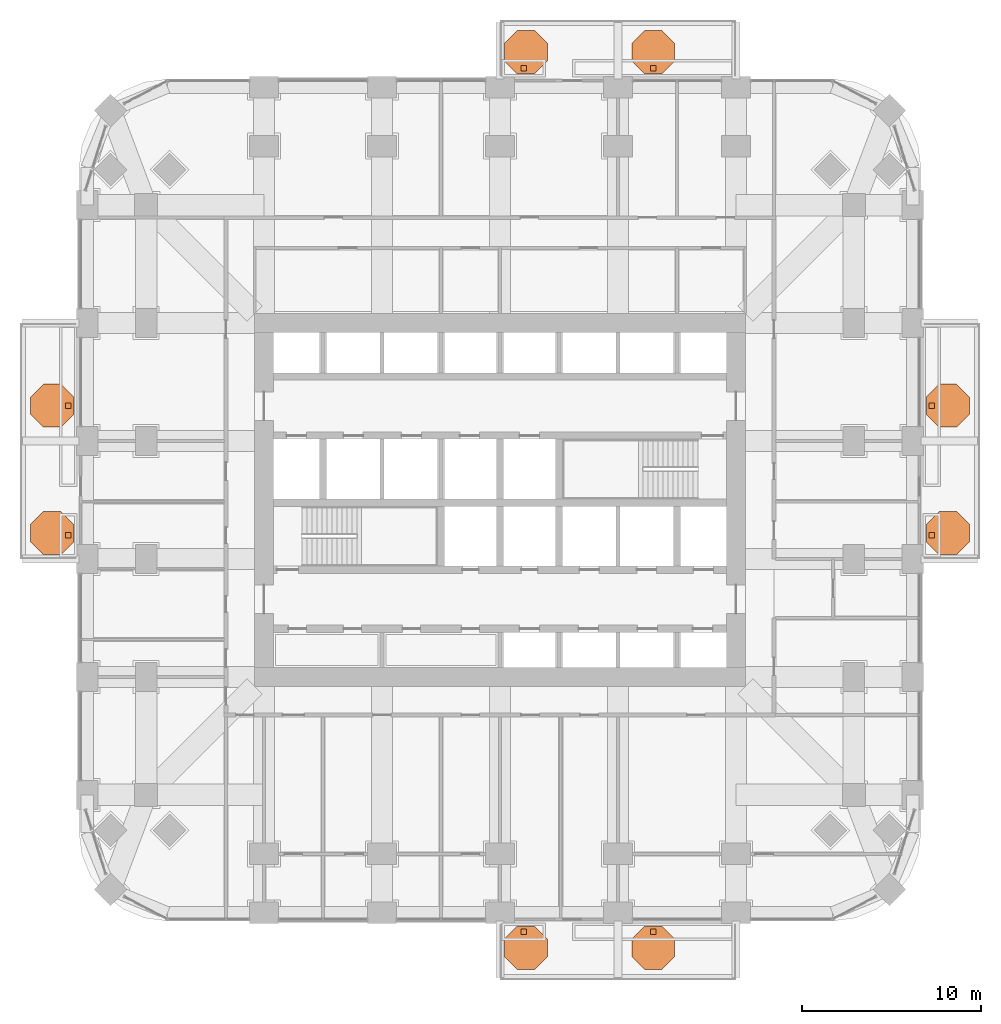
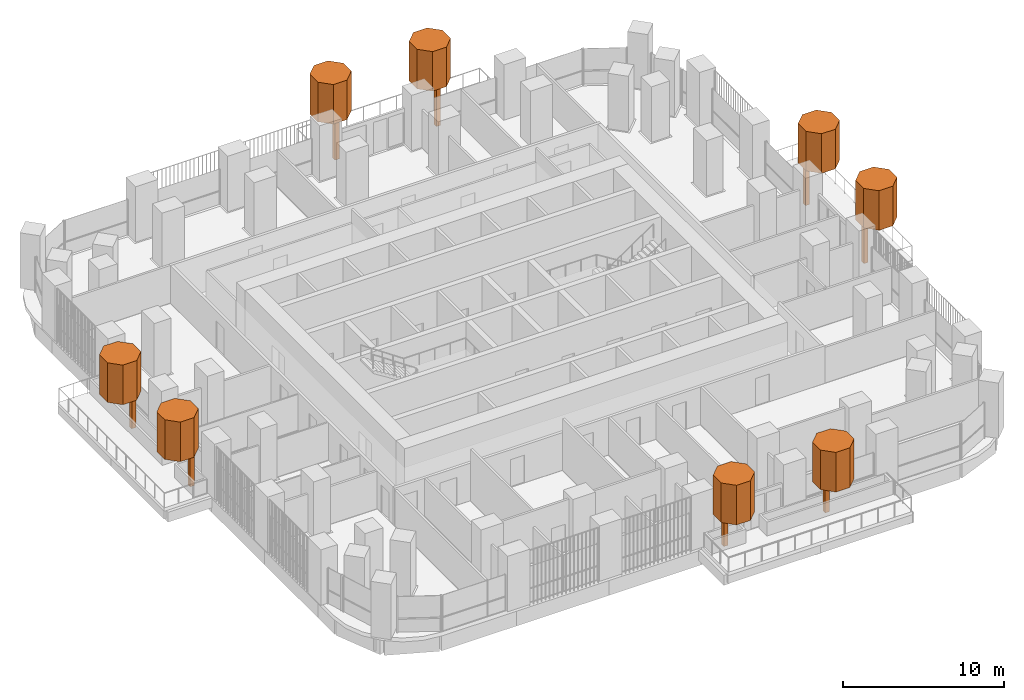
# One storey, part 22 of 22: 16 geographic elements.
"""IFC4 building model written with IfcOpenShell, lengths in metres."""

import ifcopenshell
import ifcopenshell.guid

model = None  # the IFC model being written
_history = None  # IfcOwnerHistory: only IFC2X3 demands one
_inside = {}  # id of a spatial element -> (the spatial element, [elements in it])
_under = {}  # id of a project, library or spatial element -> (it, [spatial elements below it])
_declared = {}  # id of a project -> (the project, [libraries it declares])
_typed = {}  # id of a type object -> (the type object, [elements of that type])
_made_of = {}  # id of a material, layer set ... -> (it, [elements and type objects made of it])


def new_model(schema):
    """Start an empty IFC model of exactly this schema.

    Asked for "IFC4X3", IfcOpenShell would pick the latest addendum, in which some entities
    have other attributes; the version numbers below select the first issue.
    IFC2X3 requires an IfcOwnerHistory on every rooted entity: one is made here for all.
    """
    global model, _history
    if schema == "IFC4X3":
        model = ifcopenshell.file(schema_version=(4, 3, 0, 0))
    else:
        model = ifcopenshell.file(schema=schema)
    _inside.clear()
    _under.clear()
    _declared.clear()
    _typed.clear()
    _made_of.clear()
    _history = None
    if model.schema == "IFC2X3":
        org = make("IfcOrganization", Name="unknown")
        user = make(
            "IfcPersonAndOrganization",
            ThePerson=make("IfcPerson", FamilyName="unknown"),
            TheOrganization=org,
        )
        app = make(
            "IfcApplication",
            ApplicationDeveloper=org,
            Version="unknown",
            ApplicationFullName="unknown",
            ApplicationIdentifier="unknown",
        )
        _history = make(
            "IfcOwnerHistory",
            OwningUser=user,
            OwningApplication=app,
            ChangeAction="ADDED",
            CreationDate=0,
        )
    return model


def make(cls, **values):
    """One entity of the class cls with the attributes given. An attribute that is None is left unset."""
    return model.create_entity(
        cls, **{name: value for name, value in values.items() if value is not None}
    )


def rooted(cls, **values):
    """An entity with a GlobalId (a new one), such as an element, a storey or a relation."""
    return make(cls, GlobalId=ifcopenshell.guid.new(), OwnerHistory=_history, **values)


def si_unit(unit_type, name, prefix=None):
    """IfcSIUnit, for example si_unit("LENGTHUNIT", "METRE", prefix="MILLI")."""
    return make("IfcSIUnit", UnitType=unit_type, Prefix=prefix, Name=name)


def assignment(units):
    """IfcUnitAssignment: the units of a project."""
    return None if units is None else make("IfcUnitAssignment", Units=units)


def point(xyz):
    """IfcCartesianPoint."""
    return None if xyz is None else make("IfcCartesianPoint", Coordinates=xyz)


def direction(xyz):
    """IfcDirection."""
    return None if xyz is None else make("IfcDirection", DirectionRatios=xyz)


def frame(location, z_axis=None, x_axis=None):
    """IfcAxis2Placement3D, a coordinate frame: its origin and axes. An axis left out is left unset."""
    return make(
        "IfcAxis2Placement3D",
        Location=point(location),
        Axis=direction(z_axis),
        RefDirection=direction(x_axis),
    )


def frame_2d(location, x_axis=None):
    """IfcAxis2Placement2D, a coordinate frame in the plane: its origin and x axis."""
    return make(
        "IfcAxis2Placement2D", Location=point(location), RefDirection=direction(x_axis)
    )


def origin():
    """The frame at (0, 0, 0) with its axes left unset."""
    return frame((0.0, 0.0, 0.0))


def origin_2d():
    """The frame at (0, 0) in the plane with its x axis left unset."""
    return frame_2d((0.0, 0.0))


def place(relative_to, where):
    """IfcLocalPlacement: puts the frame where relative to a parent placement (None: the world)."""
    return make(
        "IfcLocalPlacement", PlacementRelTo=relative_to, RelativePlacement=where
    )


def context(
    kind, dimensions, precision=None, world=None, true_north=None, identifier=None
):
    """IfcGeometricRepresentationContext, for example the 3D "Model" context."""
    return make(
        "IfcGeometricRepresentationContext",
        ContextIdentifier=identifier,
        ContextType=kind,
        CoordinateSpaceDimension=dimensions,
        Precision=precision,
        WorldCoordinateSystem=world,
        TrueNorth=true_north,
    )


def subcontext(parent, identifier, kind, view, scale=None):
    """IfcGeometricRepresentationSubContext, for example "Body" below "Model"."""
    return make(
        "IfcGeometricRepresentationSubContext",
        ContextIdentifier=identifier,
        ContextType=kind,
        ParentContext=parent,
        TargetScale=scale,
        TargetView=view,
    )


def project(units=None, contexts=None):
    """IfcProject with its units and contexts."""
    return rooted(
        "IfcProject",
        Name="project",
        RepresentationContexts=contexts,
        UnitsInContext=assignment(units),
    )


def spatial(cls, under=None, at=None, **own):
    """A site, building, storey or space (cls), placed at a placement, below another one or the project."""
    s = rooted(cls, ObjectPlacement=at, **own)
    if under is not None:
        _under.setdefault(under.id(), (under, []))[1].append(s)
    return s


def polyline(points):
    """IfcPolyline through the points."""
    return make("IfcPolyline", Points=[point(p) for p in points])


def profile(cls, at=None, kind="AREA", **sizes):
    """A parametric profile (cls). Its sizes go by their IFC names, for example OverallWidth=200.0."""
    return make(cls, ProfileType=kind, Position=at, **sizes)


def rectangle(**sizes):
    """IfcRectangleProfileDef."""
    return profile("IfcRectangleProfileDef", **sizes)


def outline(outer, holes=None, kind="AREA"):
    """IfcArbitraryClosedProfileDef: a profile drawn as a closed curve; with holes, ...WithVoids."""
    if holes is None:
        return make("IfcArbitraryClosedProfileDef", ProfileType=kind, OuterCurve=outer)
    return make(
        "IfcArbitraryProfileDefWithVoids",
        ProfileType=kind,
        OuterCurve=outer,
        InnerCurves=holes,
    )


def extrude(swept, where, along, depth):
    """IfcExtrudedAreaSolid: the profile swept, set in the frame where, extruded along a direction by depth."""
    return make(
        "IfcExtrudedAreaSolid",
        SweptArea=swept,
        Position=where,
        ExtrudedDirection=direction(along),
        Depth=depth,
    )


def shape(context_of_items, identifier, shape_type, items):
    """IfcShapeRepresentation: the items that make up one representation, for example the "Body"."""
    return make(
        "IfcShapeRepresentation",
        ContextOfItems=context_of_items,
        RepresentationIdentifier=identifier,
        RepresentationType=shape_type,
        Items=items,
    )


def material(Name=None, Category=None):
    """IfcMaterial."""
    return make("IfcMaterial", Name=Name, Category=Category)


def made_of(thing, what):
    """Note that an element or type object is made of a material, layer set ...; save() writes the relation."""
    if what is not None:
        _made_of.setdefault(what.id(), (what, []))[1].append(thing)
    return thing


def type_object(cls, material=None, **own):
    """A type object (cls), such as IfcWallType, which elements share."""
    return made_of(rooted(cls, **own), material)


def element(
    cls,
    number,
    at=None,
    inside=None,
    cuts=None,
    type_object=None,
    material=None,
    context=None,
    identifier="Body",
    shape_type=None,
    held_by="IfcProductDefinitionShape",
    body=None,
    shapes=None,
    **own,
):
    """One element of the class cls, such as IfcWall. Its Tag is "e" and its number.

    at: its placement. inside: the storey or other place that contains it. cuts: it is an
    opening in that element (IfcRelVoidsElement). A single representation is given by context,
    identifier, shape_type and body (its items); several are given by shapes. held_by: the class
    of the entity that holds the representations. save() writes the other relations.
    """
    e = rooted(cls, Tag="e%d" % number, ObjectPlacement=at, **own)
    if body is not None:
        shapes = [shape(context, identifier, shape_type, body)]
    if shapes is not None:
        e.Representation = make(held_by, Representations=shapes)
    if inside is not None:
        _inside.setdefault(inside.id(), (inside, []))[1].append(e)
    if cuts is not None:
        rooted(
            "IfcRelVoidsElement", RelatingBuildingElement=cuts, RelatedOpeningElement=e
        )
    if type_object is not None:
        _typed.setdefault(type_object.id(), (type_object, []))[1].append(e)
    return made_of(e, material)


def aggregate(whole, parts):
    """IfcRelAggregates: a whole, such as a stair, and the parts it consists of."""
    return rooted("IfcRelAggregates", RelatingObject=whole, RelatedObjects=parts)


def save(model, path):
    """Write the relations noted so far, then the file.

    IfcRelAggregates (storeys below a building ...), IfcRelContainedInSpatialStructure (elements
    in a storey), IfcRelDefinesByType, IfcRelAssociatesMaterial and IfcRelDeclares: one each for
    every whole, place, type object, material and project.
    """
    for whole, parts in _under.values():
        aggregate(whole, parts)
    for where, things in _inside.values():
        rooted(
            "IfcRelContainedInSpatialStructure",
            RelatedElements=things,
            RelatingStructure=where,
        )
    for kind, things in _typed.values():
        rooted("IfcRelDefinesByType", RelatedObjects=things, RelatingType=kind)
    for what, things in _made_of.values():
        rooted("IfcRelAssociatesMaterial", RelatedObjects=things, RelatingMaterial=what)
    for by, libraries in _declared.values():
        rooted("IfcRelDeclares", RelatingContext=by, RelatedDefinitions=libraries)
    model.write(path)


model = new_model("IFC4")

# Units and contexts
model_context = context("Model", 3, precision=1e-05, world=origin(), true_north=direction((0.0, 1.0)))
body_context = subcontext(model_context, "Body", "Model", "MODEL_VIEW")
ifc_project = project(units=[si_unit("LENGTHUNIT", "METRE"), si_unit("AREAUNIT", "SQUARE_METRE"), si_unit("VOLUMEUNIT", "CUBIC_METRE"), si_unit("PLANEANGLEUNIT", "RADIAN"), si_unit("MASSUNIT", "GRAM", prefix="KILO")], contexts=[model_context])

# Site, building, storey
site_placement = place(None, origin())
site = spatial("IfcSite", under=ifc_project, at=site_placement, CompositionType="ELEMENT")
building_placement = place(site_placement, origin())
building = spatial("IfcBuilding", under=site, at=building_placement, Name="Cobogo Forest Laboratory Tower", CompositionType="ELEMENT")
storey_placement = place(building_placement, frame((0.0, 0.0, 94.800048828125)))
storey = spatial("IfcBuildingStorey", under=building, at=storey_placement, Name="L21", CompositionType="ELEMENT", Elevation=94.800048828125)

# Geographic elements
ifc_material = material(Name="Planting", Category="plant")
geographic_element_type_1 = type_object("IfcGeographicElementType", Name="Tree trunk 300", PredefinedType="USERDEFINED", material=ifc_material)
for number, where, z_axis, x_axis, name in (
    (1, (27.72509765625, -1.050048828125, 0.0), (0.0, 0.0, 1.0), (1.0, 0.0, 0.0), "Tree trunk BAL-S1-PL1 L21"),
    (2, (34.97509765625, -1.050048828125, 0.0), (0.0, 0.0, 1.0), (1.0, 0.0, 0.0), "Tree trunk BAL-S1-PL2 L21"),
    (3, (50.550048828125, 21.125, 0.0), (0.0, 0.0, 1.0), (1.0, 0.0, 0.0), "Tree trunk BAL-E1-PL1 L21"),
    (4, (50.550048828125, 28.375, 0.0), (0.0, 0.0, 1.0), (1.0, 0.0, 0.0), "Tree trunk BAL-E1-PL2 L21"),
    (5, (27.72509765625, 47.25, 0.0), (0.0, 0.0, 1.0), (1.0, 0.0, 0.0), "Tree trunk BAL-N1-PL1 L21"),
    (6, (34.97509765625, 47.25, 0.0), (0.0, 0.0, 1.0), (1.0, 0.0, 0.0), "Tree trunk BAL-N1-PL2 L21"),
    (7, (2.25, 21.125, 0.0), (0.0, 0.0, 1.0), (1.0, 0.0, 0.0), "Tree trunk BAL-W1-PL1 L21"),
    (8, (2.25, 28.375, 0.0), (0.0, 0.0, 1.0), (1.0, 0.0, 0.0), "Tree trunk BAL-W1-PL2 L21"),
):
    element("IfcGeographicElement", number, at=place(storey_placement, frame(where, z_axis=z_axis, x_axis=x_axis)), inside=storey, type_object=geographic_element_type_1, Name=name, ObjectType="TREE TRUNK", PredefinedType="USERDEFINED", context=body_context, shape_type="SweptSolid", body=[
        extrude(rectangle(XDim=0.300048828125, YDim=0.300048828125, at=origin_2d()), origin(), (0.0, 0.0, 1.0), 2.89990234375),
    ])
geographic_element_type_2 = type_object("IfcGeographicElementType", Name="Tree, holm oak 5 m", PredefinedType="USERDEFINED", material=ifc_material)
geographic_element_1_placement = place(storey_placement, frame((0.0, 0.0, 2.89990234375)))
element("IfcGeographicElement", 9, at=geographic_element_1_placement, inside=storey, type_object=geographic_element_type_2, Name="Holm tree BAL-S1-PL1 L21", ObjectType="TREE", PredefinedType="USERDEFINED", context=body_context, shape_type="SweptSolid", body=[
    extrude(outline(polyline([(29.050048828125, -2.447021484375), (29.050048828125, -1.452880859375), (28.34716796875, -0.75), (27.35302734375, -0.75), (26.64990234375, -1.452880859375), (26.64990234375, -2.447021484375), (27.35302734375, -3.14990234375), (28.34716796875, -3.14990234375), (29.050048828125, -2.447021484375)])), origin(), (0.0, 0.0, 1.0), 3.0),
])
geographic_element_2_placement = place(storey_placement, frame((0.0, 0.0, 2.89990234375)))
element("IfcGeographicElement", 10, at=geographic_element_2_placement, inside=storey, type_object=geographic_element_type_2, Name="Holm tree BAL-S1-PL2 L21", ObjectType="TREE", PredefinedType="USERDEFINED", context=body_context, shape_type="SweptSolid", body=[
    extrude(outline(polyline([(36.175048828125, -2.447021484375), (36.175048828125, -1.452880859375), (35.47216796875, -0.75), (34.47802734375, -0.75), (33.77490234375, -1.452880859375), (33.77490234375, -2.447021484375), (34.47802734375, -3.14990234375), (35.47216796875, -3.14990234375), (36.175048828125, -2.447021484375)])), origin(), (0.0, 0.0, 1.0), 3.0),
])
geographic_element_3_placement = place(storey_placement, frame((0.0, 0.0, 2.89990234375)))
element("IfcGeographicElement", 11, at=geographic_element_3_placement, inside=storey, type_object=geographic_element_type_2, Name="Holm tree BAL-E1-PL1 L21", ObjectType="TREE", PredefinedType="USERDEFINED", context=body_context, shape_type="SweptSolid", body=[
    extrude(outline(polyline([(52.64990234375, 20.7529296875), (52.64990234375, 21.7470703125), (51.947021484375, 22.449951171875), (50.952880859375, 22.449951171875), (50.25, 21.7470703125), (50.25, 20.7529296875), (50.952880859375, 20.050048828125), (51.947021484375, 20.050048828125), (52.64990234375, 20.7529296875)])), origin(), (0.0, 0.0, 1.0), 3.0),
])
geographic_element_4_placement = place(storey_placement, frame((0.0, 0.0, 2.89990234375)))
element("IfcGeographicElement", 12, at=geographic_element_4_placement, inside=storey, type_object=geographic_element_type_2, Name="Holm tree BAL-E1-PL2 L21", ObjectType="TREE", PredefinedType="USERDEFINED", context=body_context, shape_type="SweptSolid", body=[
    extrude(outline(polyline([(52.64990234375, 27.8779296875), (52.64990234375, 28.8720703125), (51.947021484375, 29.574951171875), (50.952880859375, 29.574951171875), (50.25, 28.8720703125), (50.25, 27.8779296875), (50.952880859375, 27.175048828125), (51.947021484375, 27.175048828125), (52.64990234375, 27.8779296875)])), origin(), (0.0, 0.0, 1.0), 3.0),
])
geographic_element_5_placement = place(storey_placement, frame((0.0, 0.0, 2.89990234375)))
element("IfcGeographicElement", 13, at=geographic_element_5_placement, inside=storey, type_object=geographic_element_type_2, Name="Holm tree BAL-N1-PL1 L21", ObjectType="TREE", PredefinedType="USERDEFINED", context=body_context, shape_type="SweptSolid", body=[
    extrude(outline(polyline([(29.050048828125, 47.65283203125), (29.050048828125, 48.64697265625), (28.34716796875, 49.35009765625), (27.35302734375, 49.35009765625), (26.64990234375, 48.64697265625), (26.64990234375, 47.65283203125), (27.35302734375, 46.949951171875), (28.34716796875, 46.949951171875), (29.050048828125, 47.65283203125)])), origin(), (0.0, 0.0, 1.0), 3.0),
])
geographic_element_6_placement = place(storey_placement, frame((0.0, 0.0, 2.89990234375)))
element("IfcGeographicElement", 14, at=geographic_element_6_placement, inside=storey, type_object=geographic_element_type_2, Name="Holm tree BAL-N1-PL2 L21", ObjectType="TREE", PredefinedType="USERDEFINED", context=body_context, shape_type="SweptSolid", body=[
    extrude(outline(polyline([(36.175048828125, 47.65283203125), (36.175048828125, 48.64697265625), (35.47216796875, 49.35009765625), (34.47802734375, 49.35009765625), (33.77490234375, 48.64697265625), (33.77490234375, 47.65283203125), (34.47802734375, 46.949951171875), (35.47216796875, 46.949951171875), (36.175048828125, 47.65283203125)])), origin(), (0.0, 0.0, 1.0), 3.0),
])
geographic_element_7_placement = place(storey_placement, frame((0.0, 0.0, 2.89990234375)))
element("IfcGeographicElement", 15, at=geographic_element_7_placement, inside=storey, type_object=geographic_element_type_2, Name="Holm tree BAL-W1-PL1 L21", ObjectType="TREE", PredefinedType="USERDEFINED", context=body_context, shape_type="SweptSolid", body=[
    extrude(outline(polyline([(2.550048828125, 20.7529296875), (2.550048828125, 21.7470703125), (1.84716796875, 22.449951171875), (0.85302734375, 22.449951171875), (0.14990234375, 21.7470703125), (0.14990234375, 20.7529296875), (0.85302734375, 20.050048828125), (1.84716796875, 20.050048828125), (2.550048828125, 20.7529296875)])), origin(), (0.0, 0.0, 1.0), 3.0),
])
geographic_element_8_placement = place(storey_placement, frame((0.0, 0.0, 2.89990234375)))
element("IfcGeographicElement", 16, at=geographic_element_8_placement, inside=storey, type_object=geographic_element_type_2, Name="Holm tree BAL-W1-PL2 L21", ObjectType="TREE", PredefinedType="USERDEFINED", context=body_context, shape_type="SweptSolid", body=[
    extrude(outline(polyline([(2.550048828125, 27.8779296875), (2.550048828125, 28.8720703125), (1.84716796875, 29.574951171875), (0.85302734375, 29.574951171875), (0.14990234375, 28.8720703125), (0.14990234375, 27.8779296875), (0.85302734375, 27.175048828125), (1.84716796875, 27.175048828125), (2.550048828125, 27.8779296875)])), origin(), (0.0, 0.0, 1.0), 3.0),
])

save(model, "model.ifc")
